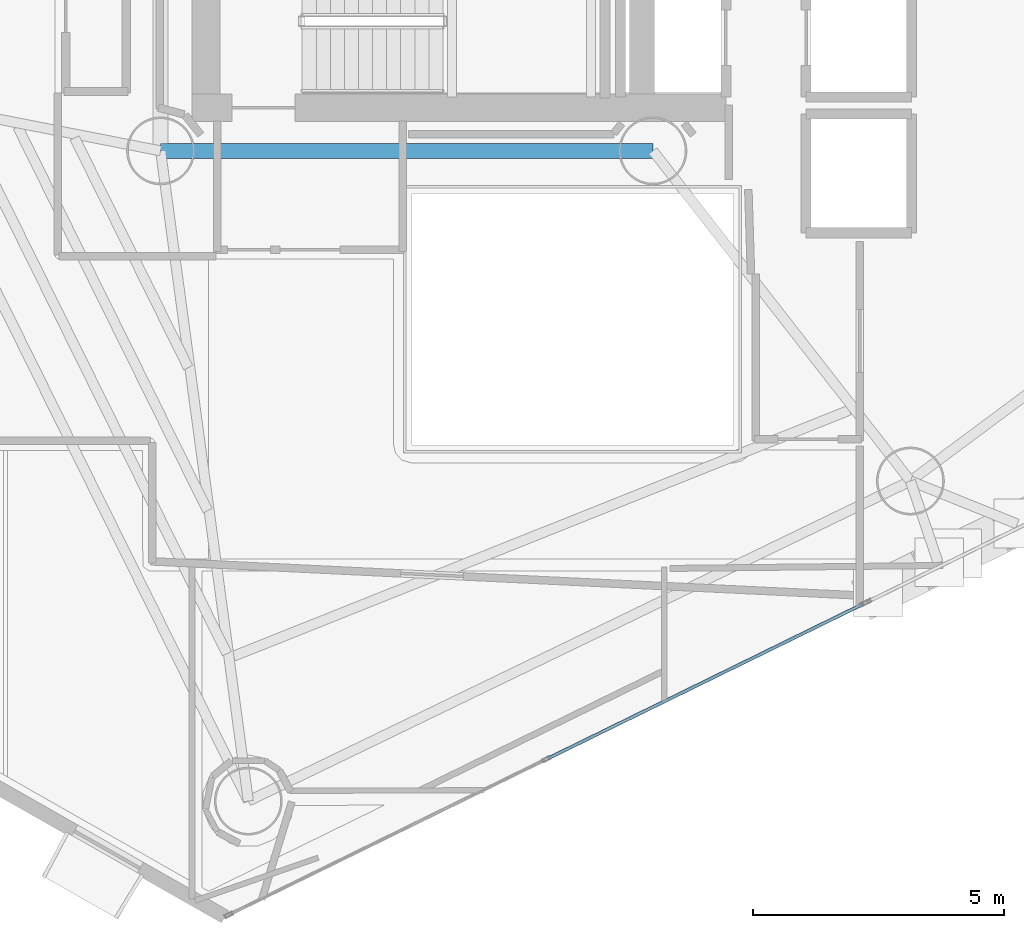
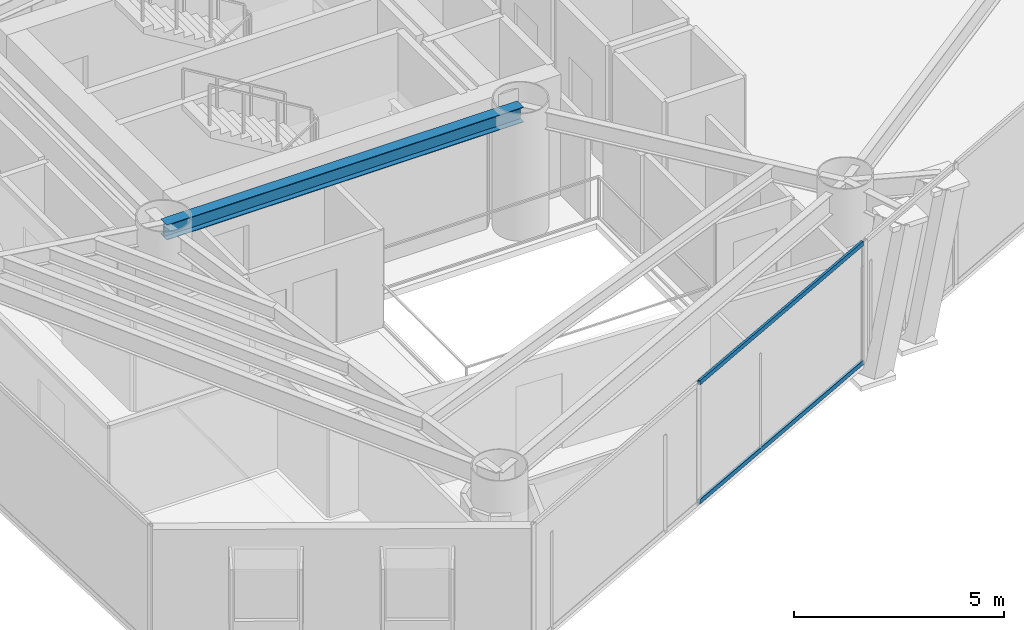
# One storey, part 5 of 23: 2 members, 1 beam, 1 element without a shape of its own.
"""IFC4 building model written with IfcOpenShell, lengths in metres."""

import ifcopenshell
import ifcopenshell.guid

model = None  # the IFC model being written
_history = None  # IfcOwnerHistory: only IFC2X3 demands one
_inside = {}  # id of a spatial element -> (the spatial element, [elements in it])
_under = {}  # id of a project, library or spatial element -> (it, [spatial elements below it])
_declared = {}  # id of a project -> (the project, [libraries it declares])
_typed = {}  # id of a type object -> (the type object, [elements of that type])
_made_of = {}  # id of a material, layer set ... -> (it, [elements and type objects made of it])


def new_model(schema):
    """Start an empty IFC model of exactly this schema.

    Asked for "IFC4X3", IfcOpenShell would pick the latest addendum, in which some entities
    have other attributes; the version numbers below select the first issue.
    IFC2X3 requires an IfcOwnerHistory on every rooted entity: one is made here for all.
    """
    global model, _history
    if schema == "IFC4X3":
        model = ifcopenshell.file(schema_version=(4, 3, 0, 0))
    else:
        model = ifcopenshell.file(schema=schema)
    _inside.clear()
    _under.clear()
    _declared.clear()
    _typed.clear()
    _made_of.clear()
    _history = None
    if model.schema == "IFC2X3":
        org = make("IfcOrganization", Name="unknown")
        user = make(
            "IfcPersonAndOrganization",
            ThePerson=make("IfcPerson", FamilyName="unknown"),
            TheOrganization=org,
        )
        app = make(
            "IfcApplication",
            ApplicationDeveloper=org,
            Version="unknown",
            ApplicationFullName="unknown",
            ApplicationIdentifier="unknown",
        )
        _history = make(
            "IfcOwnerHistory",
            OwningUser=user,
            OwningApplication=app,
            ChangeAction="ADDED",
            CreationDate=0,
        )
    return model


def make(cls, **values):
    """One entity of the class cls with the attributes given. An attribute that is None is left unset."""
    return model.create_entity(
        cls, **{name: value for name, value in values.items() if value is not None}
    )


def rooted(cls, **values):
    """An entity with a GlobalId (a new one), such as an element, a storey or a relation."""
    return make(cls, GlobalId=ifcopenshell.guid.new(), OwnerHistory=_history, **values)


def si_unit(unit_type, name, prefix=None):
    """IfcSIUnit, for example si_unit("LENGTHUNIT", "METRE", prefix="MILLI")."""
    return make("IfcSIUnit", UnitType=unit_type, Prefix=prefix, Name=name)


def assignment(units):
    """IfcUnitAssignment: the units of a project."""
    return None if units is None else make("IfcUnitAssignment", Units=units)


def point(xyz):
    """IfcCartesianPoint."""
    return None if xyz is None else make("IfcCartesianPoint", Coordinates=xyz)


def direction(xyz):
    """IfcDirection."""
    return None if xyz is None else make("IfcDirection", DirectionRatios=xyz)


def frame(location, z_axis=None, x_axis=None):
    """IfcAxis2Placement3D, a coordinate frame: its origin and axes. An axis left out is left unset."""
    return make(
        "IfcAxis2Placement3D",
        Location=point(location),
        Axis=direction(z_axis),
        RefDirection=direction(x_axis),
    )


def frame_2d(location, x_axis=None):
    """IfcAxis2Placement2D, a coordinate frame in the plane: its origin and x axis."""
    return make(
        "IfcAxis2Placement2D", Location=point(location), RefDirection=direction(x_axis)
    )


def origin():
    """The frame at (0, 0, 0) with its axes left unset."""
    return frame((0.0, 0.0, 0.0))


def origin_2d():
    """The frame at (0, 0) in the plane with its x axis left unset."""
    return frame_2d((0.0, 0.0))


def place(relative_to, where):
    """IfcLocalPlacement: puts the frame where relative to a parent placement (None: the world)."""
    return make(
        "IfcLocalPlacement", PlacementRelTo=relative_to, RelativePlacement=where
    )


def context(
    kind, dimensions, precision=None, world=None, true_north=None, identifier=None
):
    """IfcGeometricRepresentationContext, for example the 3D "Model" context."""
    return make(
        "IfcGeometricRepresentationContext",
        ContextIdentifier=identifier,
        ContextType=kind,
        CoordinateSpaceDimension=dimensions,
        Precision=precision,
        WorldCoordinateSystem=world,
        TrueNorth=true_north,
    )


def subcontext(parent, identifier, kind, view, scale=None):
    """IfcGeometricRepresentationSubContext, for example "Body" below "Model"."""
    return make(
        "IfcGeometricRepresentationSubContext",
        ContextIdentifier=identifier,
        ContextType=kind,
        ParentContext=parent,
        TargetScale=scale,
        TargetView=view,
    )


def project(units=None, contexts=None):
    """IfcProject with its units and contexts."""
    return rooted(
        "IfcProject",
        Name="project",
        RepresentationContexts=contexts,
        UnitsInContext=assignment(units),
    )


def spatial(cls, under=None, at=None, **own):
    """A site, building, storey or space (cls), placed at a placement, below another one or the project."""
    s = rooted(cls, ObjectPlacement=at, **own)
    if under is not None:
        _under.setdefault(under.id(), (under, []))[1].append(s)
    return s


def profile(cls, at=None, kind="AREA", **sizes):
    """A parametric profile (cls). Its sizes go by their IFC names, for example OverallWidth=200.0."""
    return make(cls, ProfileType=kind, Position=at, **sizes)


def hollow_rectangle(**sizes):
    """IfcRectangleHollowProfileDef."""
    return profile("IfcRectangleHollowProfileDef", **sizes)


def i_section(**sizes):
    """IfcIShapeProfileDef."""
    return profile("IfcIShapeProfileDef", **sizes)


def extrude(swept, where, along, depth):
    """IfcExtrudedAreaSolid: the profile swept, set in the frame where, extruded along a direction by depth."""
    return make(
        "IfcExtrudedAreaSolid",
        SweptArea=swept,
        Position=where,
        ExtrudedDirection=direction(along),
        Depth=depth,
    )


def shape(context_of_items, identifier, shape_type, items):
    """IfcShapeRepresentation: the items that make up one representation, for example the "Body"."""
    return make(
        "IfcShapeRepresentation",
        ContextOfItems=context_of_items,
        RepresentationIdentifier=identifier,
        RepresentationType=shape_type,
        Items=items,
    )


def material(Name=None, Category=None):
    """IfcMaterial."""
    return make("IfcMaterial", Name=Name, Category=Category)


def layer(
    of_material, thickness, ventilated=None, Name=None, Category=None, Priority=None
):
    """IfcMaterialLayer: one layer of a wall or slab, of a material (None: an air gap)."""
    return make(
        "IfcMaterialLayer",
        Material=of_material,
        LayerThickness=thickness,
        IsVentilated=ventilated,
        Name=Name,
        Category=Category,
        Priority=Priority,
    )


def layer_set(layers, Name=None):
    """IfcMaterialLayerSet."""
    return make("IfcMaterialLayerSet", MaterialLayers=layers, LayerSetName=Name)


def material_profile(
    of_material, cross_section, Name=None, Category=None, Priority=None
):
    """IfcMaterialProfile: a cross section and its material."""
    return make(
        "IfcMaterialProfile",
        Name=Name,
        Material=of_material,
        Profile=cross_section,
        Priority=Priority,
        Category=Category,
    )


def profile_set(profiles, Name=None, composite=None):
    """IfcMaterialProfileSet."""
    return make(
        "IfcMaterialProfileSet",
        Name=Name,
        MaterialProfiles=profiles,
        CompositeProfile=composite,
    )


def made_of(thing, what):
    """Note that an element or type object is made of a material, layer set ...; save() writes the relation."""
    if what is not None:
        _made_of.setdefault(what.id(), (what, []))[1].append(thing)
    return thing


def type_object(cls, material=None, **own):
    """A type object (cls), such as IfcWallType, which elements share."""
    return made_of(rooted(cls, **own), material)


def element(
    cls,
    number,
    at=None,
    inside=None,
    cuts=None,
    type_object=None,
    material=None,
    context=None,
    identifier="Body",
    shape_type=None,
    held_by="IfcProductDefinitionShape",
    body=None,
    shapes=None,
    **own,
):
    """One element of the class cls, such as IfcWall. Its Tag is "e" and its number.

    at: its placement. inside: the storey or other place that contains it. cuts: it is an
    opening in that element (IfcRelVoidsElement). A single representation is given by context,
    identifier, shape_type and body (its items); several are given by shapes. held_by: the class
    of the entity that holds the representations. save() writes the other relations.
    """
    e = rooted(cls, Tag="e%d" % number, ObjectPlacement=at, **own)
    if body is not None:
        shapes = [shape(context, identifier, shape_type, body)]
    if shapes is not None:
        e.Representation = make(held_by, Representations=shapes)
    if inside is not None:
        _inside.setdefault(inside.id(), (inside, []))[1].append(e)
    if cuts is not None:
        rooted(
            "IfcRelVoidsElement", RelatingBuildingElement=cuts, RelatedOpeningElement=e
        )
    if type_object is not None:
        _typed.setdefault(type_object.id(), (type_object, []))[1].append(e)
    return made_of(e, material)


def aggregate(whole, parts):
    """IfcRelAggregates: a whole, such as a stair, and the parts it consists of."""
    return rooted("IfcRelAggregates", RelatingObject=whole, RelatedObjects=parts)


def save(model, path):
    """Write the relations noted so far, then the file.

    IfcRelAggregates (storeys below a building ...), IfcRelContainedInSpatialStructure (elements
    in a storey), IfcRelDefinesByType, IfcRelAssociatesMaterial and IfcRelDeclares: one each for
    every whole, place, type object, material and project.
    """
    for whole, parts in _under.values():
        aggregate(whole, parts)
    for where, things in _inside.values():
        rooted(
            "IfcRelContainedInSpatialStructure",
            RelatedElements=things,
            RelatingStructure=where,
        )
    for kind, things in _typed.values():
        rooted("IfcRelDefinesByType", RelatedObjects=things, RelatingType=kind)
    for what, things in _made_of.values():
        rooted("IfcRelAssociatesMaterial", RelatedObjects=things, RelatingMaterial=what)
    for by, libraries in _declared.values():
        rooted("IfcRelDeclares", RelatingContext=by, RelatedDefinitions=libraries)
    model.write(path)


model = new_model("IFC4")

# Units and contexts
model_context = context("Model", 3, precision=1e-05, world=origin(), true_north=direction((0.0, 1.0)))
body_context = subcontext(model_context, "Body", "Model", "MODEL_VIEW")
ifc_project = project(units=[si_unit("LENGTHUNIT", "METRE"), si_unit("AREAUNIT", "SQUARE_METRE"), si_unit("VOLUMEUNIT", "CUBIC_METRE"), si_unit("PLANEANGLEUNIT", "RADIAN"), si_unit("MASSUNIT", "GRAM", prefix="KILO")], contexts=[model_context])

# Site, building, storey
site_placement = place(None, origin())
site = spatial("IfcSite", under=ifc_project, at=site_placement, CompositionType="ELEMENT")
building_placement = place(site_placement, origin())
building = spatial("IfcBuilding", under=site, at=building_placement, Name="Qianvela Tower", CompositionType="ELEMENT")
storey_placement = place(building_placement, frame((0.0, 0.0, 162.39990234375)))
storey = spatial("IfcBuildingStorey", under=building, at=storey_placement, Name="L41", CompositionType="ELEMENT", Elevation=162.39990234375)

# Beam
ifc_material_1 = material(Name="Steel Q355B", Category="steel")
ifc_material_profile_1 = material_profile(ifc_material_1, i_section(OverallWidth=0.300048828125, OverallDepth=0.43994140625, WebThickness=0.010986328125, FlangeThickness=0.01806640625, at=origin_2d()), Name="HM440x300x11x18")
ifc_profile_set_1 = profile_set([ifc_material_profile_1], Name="Steel Q355B")
beam_type = type_object("IfcBeamType", Name="BM-HM440-COLL", PredefinedType="BEAM", material=ifc_profile_set_1)
beam_placement = place(storey_placement, frame((28.60009765625, 23.85009765625, 3.298095703125), z_axis=(1.0, 0.0, 0.0), x_axis=(0.0, 1.0, 0.0)))
element("IfcBeam", 1, at=beam_placement, inside=storey, type_object=beam_type, Name="L41 Core Ring Collector Girder CC1", PredefinedType="BEAM", context=body_context, shape_type="SweptSolid", body=[
    extrude(i_section(OverallWidth=0.300048828125, OverallDepth=0.43994140625, WebThickness=0.010986328125, FlangeThickness=0.01806640625, at=origin_2d()), origin(), (0.0, 0.0, 1.0), 9.7998046875),
])

# Curtain wall, members
ifc_material_2 = material(Name="Anodised Architectural Aluminium and Low-E Glass", Category="aluminium")
ifc_layer = layer(ifc_material_2, 0.169921875)
ifc_layer_set = layer_set([ifc_layer], Name="Anodised Architectural Aluminium and Low-E Glass")
curtain_wall_type = type_object("IfcCurtainWallType", Name="CW-COLIV-Z34", PredefinedType="USERDEFINED", material=ifc_layer_set)
curtain_wall_placement = place(storey_placement, origin())
curtain_wall = element("IfcCurtainWall", 2, at=curtain_wall_placement, inside=storey, type_object=curtain_wall_type, Name="L41 CW-COLIV-Z34 Curtain Wall 06A", ObjectType="CURTAIN_WALL_SYSTEM", PredefinedType="USERDEFINED")
ifc_material_3 = material(Name="Anodised Architectural Aluminium 6063-T6", Category="aluminium")
ifc_material_profile_2 = material_profile(ifc_material_3, hollow_rectangle(XDim=0.06494140625, YDim=0.1298828125, WallThickness=0.00439453125, at=origin_2d()), Name="ALU-TRAN-65x130")
ifc_profile_set_2 = profile_set([ifc_material_profile_2], Name="Anodised Architectural Aluminium 6063-T6")
member_type = type_object("IfcMemberType", Name="CW-COLIV-Z34-TRAN", PredefinedType="USERDEFINED", material=ifc_profile_set_2)
member_1_placement = place(storey_placement, frame((36.310302734375, 11.75537109375, 0.03271484375), z_axis=(0.897926417015, 0.440145600485, 0.0), x_axis=(-0.440145600485, 0.897926417015, 0.0)))
member_1 = element("IfcMember", 3, at=member_1_placement, type_object=member_type, Name="CW-4 transom 2.1", ObjectType="TRANSOM", PredefinedType="USERDEFINED", context=body_context, shape_type="SweptSolid", body=[
    extrude(hollow_rectangle(XDim=0.06494140625, YDim=0.1298828125, WallThickness=0.00439453125, at=origin_2d()), origin(), (0.0, 0.0, 1.0), 6.977294921875),
])
member_2_placement = place(storey_placement, frame((36.310302734375, 11.75537109375, 3.487548828125), z_axis=(0.897926417015, 0.440145600485, 0.0), x_axis=(-0.440145600485, 0.897926417015, 0.0)))
member_2 = element("IfcMember", 4, at=member_2_placement, type_object=member_type, Name="CW-4 transom 2.2", ObjectType="TRANSOM", PredefinedType="USERDEFINED", context=body_context, shape_type="SweptSolid", body=[
    extrude(hollow_rectangle(XDim=0.06494140625, YDim=0.1298828125, WallThickness=0.00439453125, at=origin_2d()), origin(), (0.0, 0.0, 1.0), 6.977294921875),
])
aggregate(curtain_wall, [member_1, member_2])

save(model, "model.ifc")
